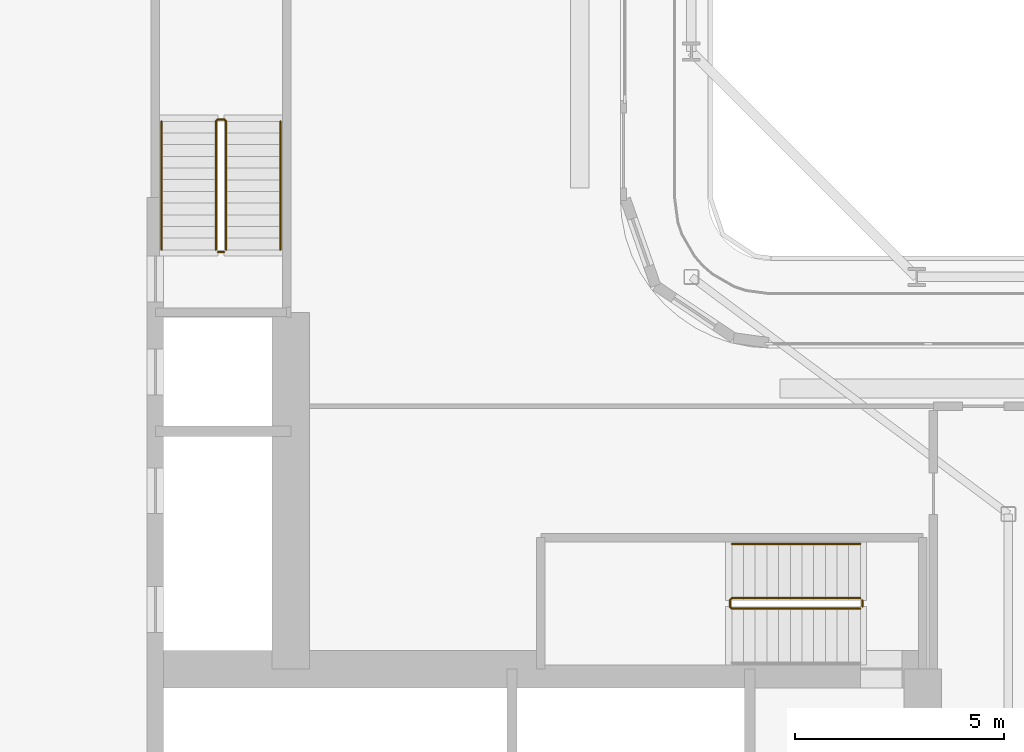
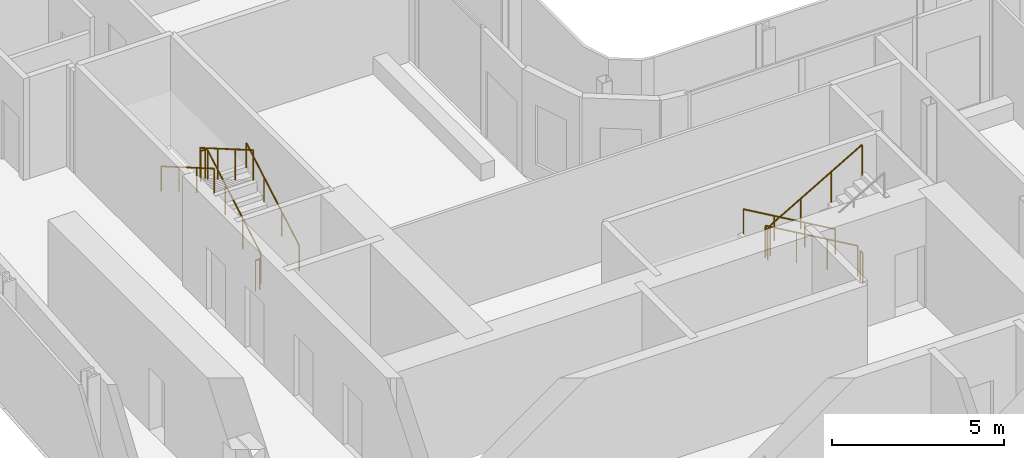
# One storey, part 23 of 28: 7 railings.
"""IFC4 building model written with IfcOpenShell, lengths in metres."""

from ifc_helpers import new_model, si_unit, direction, frame, origin, origin_2d, place, context, subcontext, project, spatial, circle, extrude, material, type_object, element, save


model = new_model("IFC4")

# Units and contexts
model_context = context("Model", 3, precision=1e-05, world=origin(), true_north=direction((0.0, 1.0)))
body_context = subcontext(model_context, "Body", "Model", "MODEL_VIEW")
ifc_project = project(units=[si_unit("LENGTHUNIT", "METRE"), si_unit("AREAUNIT", "SQUARE_METRE"), si_unit("VOLUMEUNIT", "CUBIC_METRE"), si_unit("PLANEANGLEUNIT", "RADIAN"), si_unit("MASSUNIT", "GRAM", prefix="KILO")], contexts=[model_context])

# Site, building, storey
site_placement = place(None, origin())
site = spatial("IfcSite", under=ifc_project, at=site_placement, CompositionType="ELEMENT")
building_placement = place(site_placement, origin())
building = spatial("IfcBuilding", under=site, at=building_placement, Name="Kheshtan School and Residences Tower", CompositionType="ELEMENT")
storey_placement = place(building_placement, frame((0.0, 0.0, 133.10009765625)))
storey = spatial("IfcBuildingStorey", under=building, at=storey_placement, Name="L31", CompositionType="ELEMENT", Elevation=133.10009765625)

# Railings
ifc_material_1 = material(Name="Stainless steel balustrade", Category="steel")
railing_type_1 = type_object("IfcRailingType", Name="Stair guard 1100", PredefinedType="GUARDRAIL", material=ifc_material_1)
railing_1_placement = place(storey_placement, frame((51.64990234375, 37.89990234375, 0.162353515625)))
element("IfcRailing", 1, at=railing_1_placement, inside=storey, type_object=railing_type_1, Name="L31 ST1 stair guard 1", PredefinedType="GUARDRAIL", context=body_context, shape_type="SweptSolid", body=[
    extrude(circle(Radius=0.02392578125, at=origin_2d()), frame((0.0, 0.0, 1.076171875), z_axis=(-0.864873446163, 0.0, 0.501989962173), x_axis=(0.0, -1.0, 0.0)), (0.0, 0.0, 1.0), 3.56103515625),
    extrude(circle(Radius=0.02392578125, at=origin_2d()), frame((-3.079833984375, 0.0, 2.86376953125), z_axis=(-0.708833529934, -0.705375805398, 0.0), x_axis=(0.705375805398, -0.708833529934, 0.0)), (0.0, 0.0, 1.0), 0.070556640625),
    extrude(circle(Radius=0.02392578125, at=origin_2d()), frame((-3.1298828125, -0.0498046875, 2.86376953125), z_axis=(0.0, -1.0, 0.0), x_axis=(1.0, 0.0, 0.0)), (0.0, 0.0, 1.0), 0.150146484375),
    extrude(circle(Radius=0.02392578125, at=origin_2d()), frame((-3.1298828125, -0.199951171875, 2.86376953125), z_axis=(0.282583949758, -0.282583949758, 0.916674763849), x_axis=(0.707106781187, 0.707106781187, 0.0)), (0.0, 0.0, 1.0), 0.177001953125),
    extrude(circle(Radius=0.02392578125, at=origin_2d()), frame((-3.079833984375, -0.25, 3.02587890625), z_axis=(0.864873446163, 0.0, 0.501989962173), x_axis=(0.0, 1.0, 0.0)), (0.0, 0.0, 1.0), 3.56103515625),
    extrude(circle(Radius=0.02099609375, at=origin_2d()), origin(), (0.0, 0.0, 1.0), 1.052001953125),
    extrude(circle(Radius=0.02099609375, at=origin_2d()), frame((-1.026611328125, 0.0, 0.595947265625)), (0.0, 0.0, 1.0), 1.052001953125),
    extrude(circle(Radius=0.02099609375, at=origin_2d()), frame((-2.05322265625, 0.0, 1.191650390625)), (0.0, 0.0, 1.0), 1.052001953125),
    extrude(circle(Radius=0.02099609375, at=origin_2d()), frame((-3.079833984375, 0.0, 1.78759765625)), (0.0, 0.0, 1.0), 1.052001953125),
    extrude(circle(Radius=0.02099609375, at=origin_2d()), frame((-3.1298828125, -0.0498046875, 1.78759765625)), (0.0, 0.0, 1.0), 1.052001953125),
    extrude(circle(Radius=0.02099609375, at=origin_2d()), frame((-3.1298828125, -0.199951171875, 1.78759765625)), (0.0, 0.0, 1.0), 1.052001953125),
    extrude(circle(Radius=0.02099609375, at=origin_2d()), frame((-3.079833984375, -0.25, 1.949951171875)), (0.0, 0.0, 1.0), 1.052001953125),
    extrude(circle(Radius=0.02099609375, at=origin_2d()), frame((-2.05322265625, -0.25, 2.5458984375)), (0.0, 0.0, 1.0), 1.052001953125),
    extrude(circle(Radius=0.02099609375, at=origin_2d()), frame((-1.026611328125, -0.25, 3.1416015625)), (0.0, 0.0, 1.0), 1.052001953125),
    extrude(circle(Radius=0.02099609375, at=origin_2d()), frame((0.0, -0.25, 3.737548828125)), (0.0, 0.0, 1.0), 1.052001953125),
])
railing_2_placement = place(storey_placement, frame((51.699951171875, 37.85009765625, 0.0)))
element("IfcRailing", 2, at=railing_2_placement, inside=storey, type_object=railing_type_1, Name="L31 ST1 stair guard 2", PredefinedType="GUARDRAIL", context=body_context, shape_type="SweptSolid", body=[
    extrude(circle(Radius=0.02392578125, at=origin_2d()), frame((0.0, 0.0, 1.076171875), z_axis=(0.0, -1.0, 0.0), x_axis=(1.0, 0.0, 0.0)), (0.0, 0.0, 1.0), 0.150146484375),
    extrude(circle(Radius=0.02099609375, at=origin_2d()), origin(), (0.0, 0.0, 1.0), 1.052001953125),
    extrude(circle(Radius=0.02099609375, at=origin_2d()), frame((0.0, -0.150146484375, 0.0)), (0.0, 0.0, 1.0), 1.052001953125),
])
railing_3_placement = place(storey_placement, frame((36.449951171875, 46.25, 0.162353515625)))
element("IfcRailing", 3, at=railing_3_placement, inside=storey, type_object=railing_type_1, Name="L31 ST2 stair guard 1", PredefinedType="GUARDRAIL", context=body_context, shape_type="SweptSolid", body=[
    extrude(circle(Radius=0.02392578125, at=origin_2d()), frame((0.0, 0.0, 1.076171875), z_axis=(0.0, 0.864890721111, 0.501960198159), x_axis=(-1.0, 0.0, 0.0)), (0.0, 0.0, 1.0), 3.561279296875),
    extrude(circle(Radius=0.02392578125, at=origin_2d()), frame((0.0, 3.080078125, 2.86376953125), z_axis=(-0.708833529934, 0.705375805398, 0.0), x_axis=(-0.705375805398, -0.708833529934, 0.0)), (0.0, 0.0, 1.0), 0.070556640625),
    extrude(circle(Radius=0.02392578125, at=origin_2d()), frame((-0.050048828125, 3.1298828125, 2.86376953125), z_axis=(-1.0, 0.0, 0.0), x_axis=(0.0, -1.0, 0.0)), (0.0, 0.0, 1.0), 0.14990234375),
    extrude(circle(Radius=0.02392578125, at=origin_2d()), frame((-0.199951171875, 3.1298828125, 2.86376953125), z_axis=(-0.282693820306, -0.281314826061, 0.917031173188), x_axis=(0.705375805398, -0.708833529934, 0.0)), (0.0, 0.0, 1.0), 0.177001953125),
    extrude(circle(Radius=0.02392578125, at=origin_2d()), frame((-0.25, 3.080078125, 3.02587890625), z_axis=(0.0, -0.864890721111, 0.501960198159), x_axis=(1.0, 0.0, 0.0)), (0.0, 0.0, 1.0), 3.561279296875),
    extrude(circle(Radius=0.02099609375, at=origin_2d()), origin(), (0.0, 0.0, 1.0), 1.052001953125),
    extrude(circle(Radius=0.02099609375, at=origin_2d()), frame((0.0, 1.026611328125, 0.595947265625)), (0.0, 0.0, 1.0), 1.052001953125),
    extrude(circle(Radius=0.02099609375, at=origin_2d()), frame((0.0, 2.053466796875, 1.191650390625)), (0.0, 0.0, 1.0), 1.052001953125),
    extrude(circle(Radius=0.02099609375, at=origin_2d()), frame((0.0, 3.080078125, 1.78759765625)), (0.0, 0.0, 1.0), 1.052001953125),
    extrude(circle(Radius=0.02099609375, at=origin_2d()), frame((-0.050048828125, 3.1298828125, 1.78759765625)), (0.0, 0.0, 1.0), 1.052001953125),
    extrude(circle(Radius=0.02099609375, at=origin_2d()), frame((-0.199951171875, 3.1298828125, 1.78759765625)), (0.0, 0.0, 1.0), 1.052001953125),
    extrude(circle(Radius=0.02099609375, at=origin_2d()), frame((-0.25, 3.080078125, 1.949951171875)), (0.0, 0.0, 1.0), 1.052001953125),
    extrude(circle(Radius=0.02099609375, at=origin_2d()), frame((-0.25, 2.053466796875, 2.5458984375)), (0.0, 0.0, 1.0), 1.052001953125),
    extrude(circle(Radius=0.02099609375, at=origin_2d()), frame((-0.25, 1.026611328125, 3.1416015625)), (0.0, 0.0, 1.0), 1.052001953125),
    extrude(circle(Radius=0.02099609375, at=origin_2d()), frame((-0.25, 0.0, 3.737548828125)), (0.0, 0.0, 1.0), 1.052001953125),
])
railing_4_placement = place(storey_placement, frame((36.39990234375, 46.199951171875, 0.0)))
element("IfcRailing", 4, at=railing_4_placement, inside=storey, type_object=railing_type_1, Name="L31 ST2 stair guard 2", PredefinedType="GUARDRAIL", context=body_context, shape_type="SweptSolid", body=[
    extrude(circle(Radius=0.02392578125, at=origin_2d()), frame((0.0, 0.0, 1.076171875), z_axis=(-1.0, 0.0, 0.0), x_axis=(0.0, -1.0, 0.0)), (0.0, 0.0, 1.0), 0.14990234375),
    extrude(circle(Radius=0.02099609375, at=origin_2d()), origin(), (0.0, 0.0, 1.0), 1.052001953125),
    extrude(circle(Radius=0.02099609375, at=origin_2d()), frame((-0.14990234375, 0.0, 0.0)), (0.0, 0.0, 1.0), 1.052001953125),
])
ifc_material_2 = material(Name="Stainless steel handrail", Category="steel")
railing_type_2 = type_object("IfcRailingType", Name="Stair handrail 900", PredefinedType="HANDRAIL", material=ifc_material_2)
railing_5_placement = place(storey_placement, frame((51.64990234375, 39.199951171875, 0.162353515625)))
element("IfcRailing", 5, at=railing_5_placement, inside=storey, type_object=railing_type_2, Name="L31 ST1 stair handrail 1", PredefinedType="HANDRAIL", context=body_context, shape_type="SweptSolid", body=[
    extrude(circle(Radius=0.02392578125, at=origin_2d()), frame((0.0, 0.0, 0.8759765625), z_axis=(-0.864873446163, 0.0, 0.501989962173), x_axis=(0.0, -1.0, 0.0)), (0.0, 0.0, 1.0), 3.56103515625),
    extrude(circle(Radius=0.02099609375, at=origin_2d()), origin(), (0.0, 0.0, 1.0), 0.851806640625),
    extrude(circle(Radius=0.02099609375, at=origin_2d()), frame((-1.026611328125, 0.0, 0.595947265625)), (0.0, 0.0, 1.0), 0.851806640625),
    extrude(circle(Radius=0.02099609375, at=origin_2d()), frame((-2.05322265625, 0.0, 1.191650390625)), (0.0, 0.0, 1.0), 0.851806640625),
    extrude(circle(Radius=0.02099609375, at=origin_2d()), frame((-3.079833984375, 0.0, 1.78759765625)), (0.0, 0.0, 1.0), 0.851806640625),
])
railing_6_placement = place(storey_placement, frame((37.75, 46.25, 0.162353515625)))
element("IfcRailing", 6, at=railing_6_placement, inside=storey, type_object=railing_type_2, Name="L31 ST2 stair handrail 1", PredefinedType="HANDRAIL", context=body_context, shape_type="SweptSolid", body=[
    extrude(circle(Radius=0.02392578125, at=origin_2d()), frame((0.0, 0.0, 0.8759765625), z_axis=(0.0, 0.864890721111, 0.501960198159), x_axis=(-1.0, 0.0, 0.0)), (0.0, 0.0, 1.0), 3.561279296875),
    extrude(circle(Radius=0.02099609375, at=origin_2d()), origin(), (0.0, 0.0, 1.0), 0.851806640625),
    extrude(circle(Radius=0.02099609375, at=origin_2d()), frame((0.0, 1.026611328125, 0.595947265625)), (0.0, 0.0, 1.0), 0.851806640625),
    extrude(circle(Radius=0.02099609375, at=origin_2d()), frame((0.0, 2.053466796875, 1.191650390625)), (0.0, 0.0, 1.0), 0.851806640625),
    extrude(circle(Radius=0.02099609375, at=origin_2d()), frame((0.0, 3.080078125, 1.78759765625)), (0.0, 0.0, 1.0), 0.851806640625),
])
railing_7_placement = place(storey_placement, frame((34.89990234375, 49.330078125, 2.1123046875)))
element("IfcRailing", 7, at=railing_7_placement, inside=storey, type_object=railing_type_2, Name="L31 ST2 stair handrail 2", PredefinedType="HANDRAIL", context=body_context, shape_type="SweptSolid", body=[
    extrude(circle(Radius=0.02392578125, at=origin_2d()), frame((0.0, 0.0, 0.8759765625), z_axis=(0.0, -0.864890721111, 0.501960198159), x_axis=(1.0, 0.0, 0.0)), (0.0, 0.0, 1.0), 3.561279296875),
    extrude(circle(Radius=0.02099609375, at=origin_2d()), origin(), (0.0, 0.0, 1.0), 0.851806640625),
    extrude(circle(Radius=0.02099609375, at=origin_2d()), frame((0.0, -1.026611328125, 0.595947265625)), (0.0, 0.0, 1.0), 0.851806640625),
    extrude(circle(Radius=0.02099609375, at=origin_2d()), frame((0.0, -2.053466796875, 1.191650390625)), (0.0, 0.0, 1.0), 0.851806640625),
    extrude(circle(Radius=0.02099609375, at=origin_2d()), frame((0.0, -3.080078125, 1.78759765625)), (0.0, 0.0, 1.0), 0.851806640625),
])

save(model, "model.ifc")
